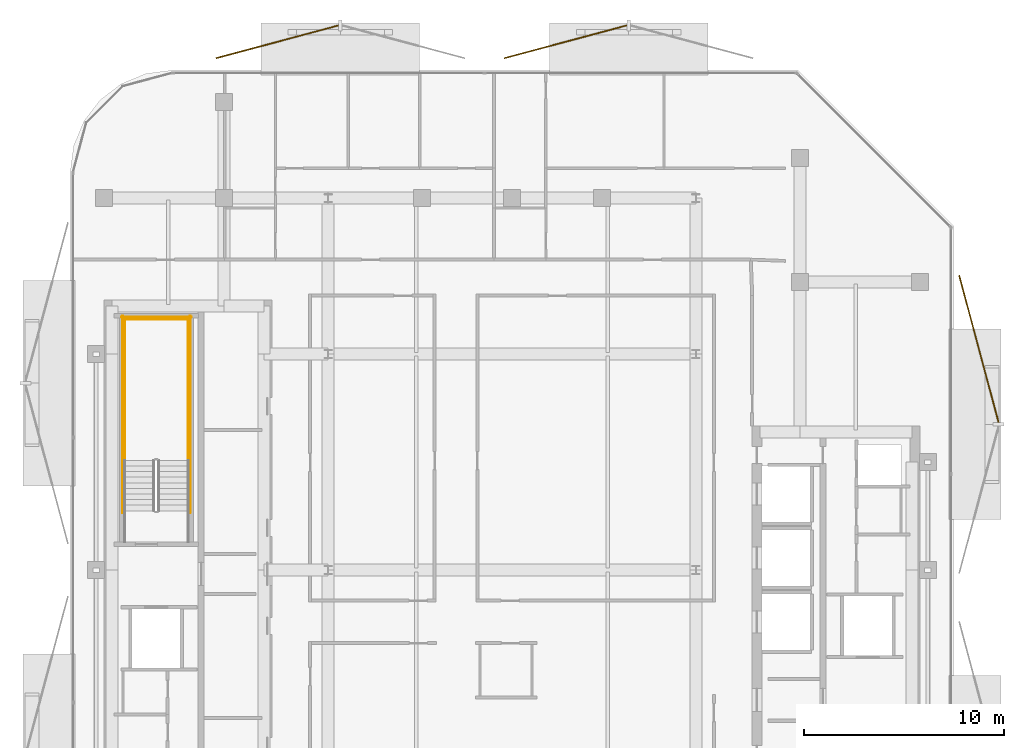
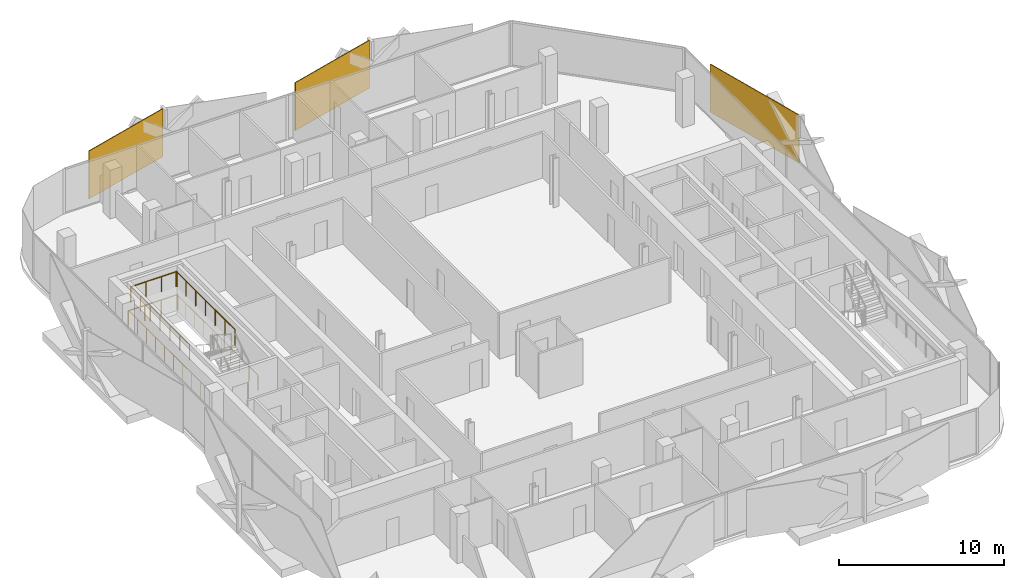
# One storey, part 16 of 16: 6 railings, 3 coverings.
"""IFC4 building model written with IfcOpenShell, lengths in metres."""

from ifc_helpers import new_model, si_unit, direction, frame, origin, origin_2d, place, context, subcontext, project, spatial, rectangle, circle, extrude, material, layer, layer_set, type_object, element, save


model = new_model("IFC4")

# Units and contexts
model_context = context("Model", 3, precision=1e-05, world=origin(), true_north=direction((0.0, 1.0)))
body_context = subcontext(model_context, "Body", "Model", "MODEL_VIEW")
ifc_project = project(units=[si_unit("LENGTHUNIT", "METRE"), si_unit("AREAUNIT", "SQUARE_METRE"), si_unit("VOLUMEUNIT", "CUBIC_METRE"), si_unit("PLANEANGLEUNIT", "RADIAN"), si_unit("MASSUNIT", "GRAM", prefix="KILO")], contexts=[model_context])

# Site, building, storey
site_placement = place(None, origin())
site = spatial("IfcSite", under=ifc_project, at=site_placement, CompositionType="ELEMENT")
building_placement = place(site_placement, origin())
building = spatial("IfcBuilding", under=site, at=building_placement, Name="Khairoan Windgate Tower", CompositionType="ELEMENT")
storey_placement = place(building_placement, frame((0.0, 0.0, 258.39990234375)))
storey = spatial("IfcBuildingStorey", under=building, at=storey_placement, Name="L61", CompositionType="ELEMENT", Elevation=258.39990234375)

# Coverings
ifc_material_1 = material(Name="Anodised Bronze Aluminium 6063-T6", Category="aluminium")
ifc_layer = layer(ifc_material_1, 0.054931640625, Name="Anodised Bronze Aluminium 6063-T6")
ifc_layer_set = layer_set([ifc_layer], Name="Anodised Bronze Aluminium 6063-T6")
covering_type = type_object("IfcCoveringType", Name="Perforated Bronze-Ceramic Folded Solar Screen Cladding BSC-1", PredefinedType="CLADDING", material=ifc_layer_set)
for number, where, z_axis, x_axis, name in (
    (1, (-11.736083984375, 26.419189453125, -0.099853515625), (0.0, 0.0, 1.0), (0.965925826289, 0.258819045103, 0.0), "L61 Folded Bronze Solar Screen Facet 421L"),
    (2, (2.680419921875, 26.419189453125, -0.099853515625), (0.0, 0.0, 1.0), (0.965925826289, 0.258819045103, 0.0), "L61 Folded Bronze Solar Screen Facet 422L"),
):
    element("IfcCovering", number, at=place(storey_placement, frame(where, z_axis=z_axis, x_axis=x_axis)), inside=storey, type_object=covering_type, Name=name, PredefinedType="CLADDING", context=body_context, shape_type="SweptSolid", body=[
        extrude(rectangle(XDim=6.343017578125, YDim=0.054931640625, at=origin_2d()), origin(), (0.0, 0.0, 1.0), 3.5400390625),
    ])
covering_placement = place(storey_placement, frame((23.35400390625, 11.053466796875, -0.099853515625), z_axis=(0.0, 0.0, 1.0), x_axis=(0.258819045103, -0.965925826289, 0.0)))
element("IfcCovering", 3, at=covering_placement, inside=storey, type_object=covering_type, Name="L61 Folded Bronze Solar Screen Facet 423L", PredefinedType="CLADDING", context=body_context, shape_type="SweptSolid", body=[
    extrude(rectangle(XDim=7.618896484375, YDim=0.054931640625, at=origin_2d()), origin(), (0.0, 0.0, 1.0), 3.5400390625),
])

# Railings
ifc_material_2 = material(Name="Steel S355", Category="steel")
railing_type = type_object("IfcRailingType", Name="Stairwell Safety Guardrail SGR-1150", PredefinedType="GUARDRAIL", material=ifc_material_2)
for number, where, name in (
    (4, (-16.199951171875, 5.47998046875, 1.800048828125), "L61 ST2 stair guard 3"),
    (5, (-19.3701171875, 5.47998046875, 1.800048828125), "L61 ST2 stair guard 4"),
):
    element("IfcRailing", number, at=place(storey_placement, frame(where)), inside=storey, type_object=railing_type, Name=name, PredefinedType="GUARDRAIL", context=body_context, shape_type="SweptSolid", body=[
        extrude(circle(Radius=0.02392578125, at=origin_2d()), frame((0.0, 0.0, 1.1259765625), z_axis=(0.0, 1.0, 0.0), x_axis=(-1.0, 0.0, 0.0)), (0.0, 0.0, 1.0), 7.1201171875),
        extrude(circle(Radius=0.02099609375, at=origin_2d()), origin(), (0.0, 0.0, 1.0), 1.101806640625),
        extrude(circle(Radius=0.02099609375, at=origin_2d()), frame((0.0, 1.186767578125, 0.0)), (0.0, 0.0, 1.0), 1.101806640625),
        extrude(circle(Radius=0.02099609375, at=origin_2d()), frame((0.0, 2.373291015625, 0.0)), (0.0, 0.0, 1.0), 1.101806640625),
        extrude(circle(Radius=0.02099609375, at=origin_2d()), frame((0.0, 3.56005859375, 0.0)), (0.0, 0.0, 1.0), 1.101806640625),
        extrude(circle(Radius=0.02099609375, at=origin_2d()), frame((0.0, 4.746826171875, 0.0)), (0.0, 0.0, 1.0), 1.101806640625),
        extrude(circle(Radius=0.02099609375, at=origin_2d()), frame((0.0, 5.933349609375, 0.0)), (0.0, 0.0, 1.0), 1.101806640625),
        extrude(circle(Radius=0.02099609375, at=origin_2d()), frame((0.0, 7.1201171875, 0.0)), (0.0, 0.0, 1.0), 1.101806640625),
    ])
railing_1_placement = place(storey_placement, frame((-16.14990234375, 12.550048828125, 1.800048828125)))
element("IfcRailing", 6, at=railing_1_placement, inside=storey, type_object=railing_type, Name="L61 ST2 stair guard 5", PredefinedType="GUARDRAIL", context=body_context, shape_type="SweptSolid", body=[
    extrude(circle(Radius=0.02392578125, at=origin_2d()), frame((0.0, 0.0, 1.1259765625), z_axis=(-1.0, 0.0, 0.0), x_axis=(0.0, -1.0, 0.0)), (0.0, 0.0, 1.0), 3.27001953125),
    extrude(circle(Radius=0.02099609375, at=origin_2d()), origin(), (0.0, 0.0, 1.0), 1.101806640625),
    extrude(circle(Radius=0.02099609375, at=origin_2d()), frame((-1.090087890625, 0.0, 0.0)), (0.0, 0.0, 1.0), 1.101806640625),
    extrude(circle(Radius=0.02099609375, at=origin_2d()), frame((-2.179931640625, 0.0, 0.0)), (0.0, 0.0, 1.0), 1.101806640625),
    extrude(circle(Radius=0.02099609375, at=origin_2d()), frame((-3.27001953125, 0.0, 0.0)), (0.0, 0.0, 1.0), 1.101806640625),
])
for number, where, name in (
    (7, (-16.10009765625, 2.860107421875, 0.0), "L61 ST2 stair guard 10"),
    (8, (-19.469970703125, 2.860107421875, 0.0), "L61 ST2 stair guard 11"),
):
    element("IfcRailing", number, at=place(storey_placement, frame(where)), inside=storey, type_object=railing_type, Name=name, PredefinedType="GUARDRAIL", context=body_context, shape_type="SweptSolid", body=[
        extrude(circle(Radius=0.02392578125, at=origin_2d()), frame((0.0, 0.0, 1.1259765625), z_axis=(0.0, 1.0, 0.0), x_axis=(-1.0, 0.0, 0.0)), (0.0, 0.0, 1.0), 9.83984375),
        extrude(circle(Radius=0.02099609375, at=origin_2d()), origin(), (0.0, 0.0, 1.0), 1.101806640625),
        extrude(circle(Radius=0.02099609375, at=origin_2d()), frame((0.0, 1.09326171875, 0.0)), (0.0, 0.0, 1.0), 1.101806640625),
        extrude(circle(Radius=0.02099609375, at=origin_2d()), frame((0.0, 2.1865234375, 0.0)), (0.0, 0.0, 1.0), 1.101806640625),
        extrude(circle(Radius=0.02099609375, at=origin_2d()), frame((0.0, 3.280029296875, 0.0)), (0.0, 0.0, 1.0), 1.101806640625),
        extrude(circle(Radius=0.02099609375, at=origin_2d()), frame((0.0, 4.373291015625, 0.0)), (0.0, 0.0, 1.0), 1.101806640625),
        extrude(circle(Radius=0.02099609375, at=origin_2d()), frame((0.0, 5.466552734375, 0.0)), (0.0, 0.0, 1.0), 1.101806640625),
        extrude(circle(Radius=0.02099609375, at=origin_2d()), frame((0.0, 6.559814453125, 0.0)), (0.0, 0.0, 1.0), 1.101806640625),
        extrude(circle(Radius=0.02099609375, at=origin_2d()), frame((0.0, 7.6533203125, 0.0)), (0.0, 0.0, 1.0), 1.101806640625),
        extrude(circle(Radius=0.02099609375, at=origin_2d()), frame((0.0, 8.74658203125, 0.0)), (0.0, 0.0, 1.0), 1.101806640625),
        extrude(circle(Radius=0.02099609375, at=origin_2d()), frame((0.0, 9.83984375, 0.0)), (0.0, 0.0, 1.0), 1.101806640625),
    ])
railing_2_placement = place(storey_placement, frame((-16.050048828125, 12.64990234375, 0.0)))
element("IfcRailing", 9, at=railing_2_placement, inside=storey, type_object=railing_type, Name="L61 ST2 stair guard 12", PredefinedType="GUARDRAIL", context=body_context, shape_type="SweptSolid", body=[
    extrude(circle(Radius=0.02392578125, at=origin_2d()), frame((0.0, 0.0, 1.1259765625), z_axis=(-1.0, 0.0, 0.0), x_axis=(0.0, -1.0, 0.0)), (0.0, 0.0, 1.0), 3.469970703125),
    extrude(circle(Radius=0.02099609375, at=origin_2d()), origin(), (0.0, 0.0, 1.0), 1.101806640625),
    extrude(circle(Radius=0.02099609375, at=origin_2d()), frame((-1.15673828125, 0.0, 0.0)), (0.0, 0.0, 1.0), 1.101806640625),
    extrude(circle(Radius=0.02099609375, at=origin_2d()), frame((-2.313232421875, 0.0, 0.0)), (0.0, 0.0, 1.0), 1.101806640625),
    extrude(circle(Radius=0.02099609375, at=origin_2d()), frame((-3.469970703125, 0.0, 0.0)), (0.0, 0.0, 1.0), 1.101806640625),
])

save(model, "model.ifc")
